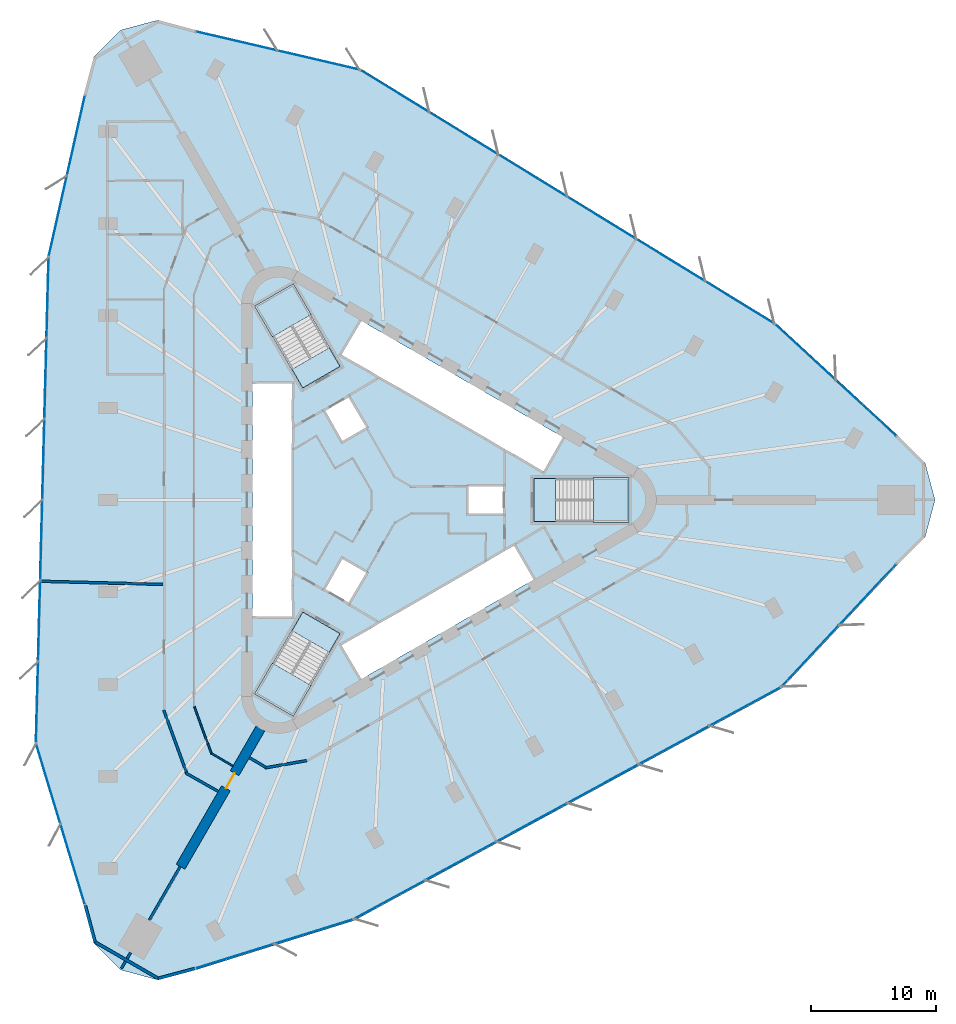
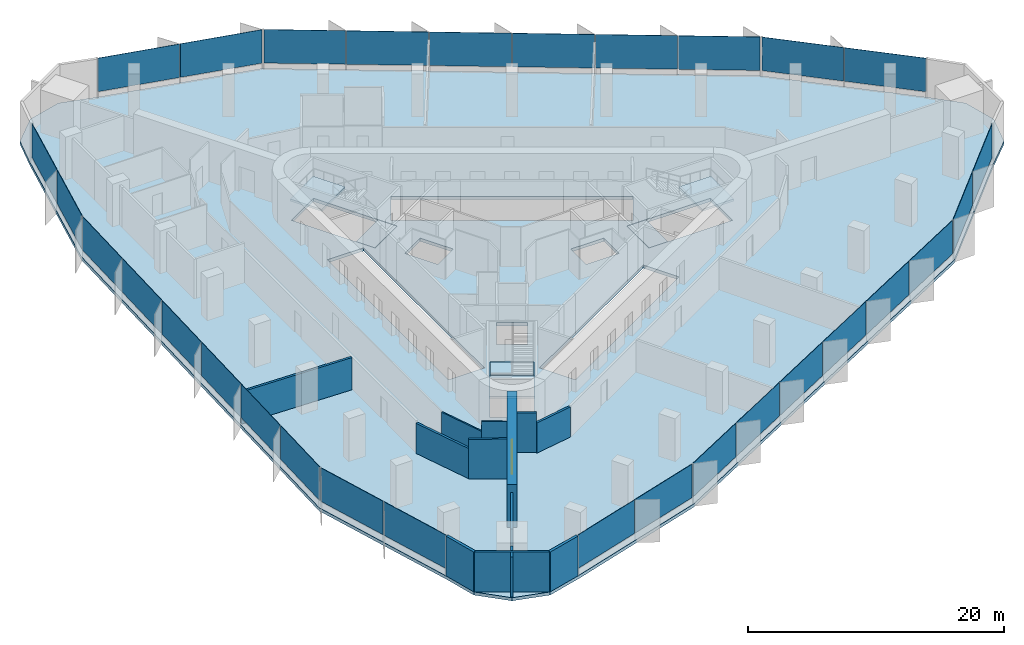
# One storey, part 8 of 14: 30 plates, 14 walls, 7 slabs, 1 door, 1 opening, 12 elements without a shape of their own.
"""IFC4 building model written with IfcOpenShell, lengths in metres."""

from ifc_helpers import new_model, si_unit, direction, frame, frame_2d, origin, origin_2d, place, context, subcontext, project, spatial, polyline, rectangle, outline, extrude, material, layer, layer_set, type_object, element, fill, aggregate, save


model = new_model("IFC4")

# Units and contexts
model_context = context("Model", 3, precision=1e-05, world=origin(), true_north=direction((0.0, 1.0)))
body_context = subcontext(model_context, "Body", "Model", "MODEL_VIEW")
ifc_project = project(units=[si_unit("LENGTHUNIT", "METRE"), si_unit("AREAUNIT", "SQUARE_METRE"), si_unit("VOLUMEUNIT", "CUBIC_METRE"), si_unit("PLANEANGLEUNIT", "RADIAN"), si_unit("MASSUNIT", "GRAM", prefix="KILO")], contexts=[model_context])

# Site, building, storey
site_placement = place(None, origin())
site = spatial("IfcSite", under=ifc_project, at=site_placement, CompositionType="ELEMENT")
building_placement = place(site_placement, origin())
building = spatial("IfcBuilding", under=site, at=building_placement, Name="Tanit Gate Tower", CompositionType="ELEMENT")
storey_placement = place(building_placement, frame((0.0, 0.0, 127.5)))
storey = spatial("IfcBuildingStorey", under=building, at=storey_placement, Name="L27", CompositionType="ELEMENT", Elevation=127.5)

# Slab
ifc_material_1 = material(Name="Concrete C35/45", Category="concrete")
ifc_layer_1 = layer(ifc_material_1, 0.300048828125)
ifc_layer_set_1 = layer_set([ifc_layer_1], Name="FLOOR SLAB 300 C35/45")
slab_type_1 = type_object("IfcSlabType", Name="FLOOR SLAB 300 C35/45", PredefinedType="FLOOR", material=ifc_layer_set_1)
slab_1_placement = place(storey_placement, frame((0.0, 0.0, -0.300048828125)))
element("IfcSlab", 1, at=slab_1_placement, inside=storey, type_object=slab_type_1, Name="FLOOR SLAB L27", PredefinedType="FLOOR", context=body_context, shape_type="SweptSolid", body=[
    extrude(outline(polyline([(40.5380859375, 5.17431640625), (42.72509765625, 2.987548828125), (43.525390625, 0.0), (42.72509765625, -2.987548828125), (40.5380859375, -5.17431640625), (31.245849609375, -15.095947265625), (-3.05810546875, -33.7265625), (-15.787841796875, -37.694091796875), (-18.775390625, -38.49462890625), (-21.7626953125, -37.694091796875), (-23.94970703125, -35.507080078125), (-24.750244140625, -32.519775390625), (-28.6962890625, -19.51171875), (-27.678955078125, 19.51171875), (-24.750244140625, 32.519775390625), (-23.94970703125, 35.507080078125), (-21.7626953125, 37.694091796875), (-18.775390625, 38.49462890625), (-15.787841796875, 37.694091796875), (-2.549560546875, 34.607666015625), (30.7373046875, 14.21484375), (40.5380859375, 5.17431640625)]), holes=[polyline([(11.3701171875, 1.72998046875), (18.929931640625, 1.72998046875), (18.929931640625, -1.72998046875), (11.3701171875, -1.72998046875), (11.3701171875, 1.72998046875)]), polyline([(-4.208984375, 11.60986328125), (-2.583984375, 14.424560546875), (13.783935546875, 4.974609375), (12.158935546875, 2.159912109375), (-4.208984375, 11.60986328125)]), polyline([(-4.208984375, -11.60986328125), (9.82080078125, -3.510009765625), (11.44580078125, -6.324462890625), (-2.583984375, -14.424560546875), (-4.208984375, -11.60986328125)]), polyline([(9.0, 1.199951171875), (9.0, -1.199951171875), (6.0, -1.199951171875), (6.0, 1.199951171875), (9.0, 1.199951171875)]), polyline([(-5.539306640625, 7.194091796875), (-3.460693359375, 8.394287109375), (-1.960693359375, 5.796142578125), (-4.039306640625, 4.59619140625), (-5.539306640625, 7.194091796875)]), polyline([(-1.960693359375, -5.796142578125), (-3.460693359375, -8.394287109375), (-5.539306640625, -7.194091796875), (-4.039306640625, -4.59619140625), (-1.960693359375, -5.796142578125)]), polyline([(-10.963134765625, 15.52880859375), (-7.966796875, 17.2587890625), (-4.186767578125, 10.711669921875), (-7.18310546875, 8.981689453125), (-10.963134765625, 15.52880859375)]), polyline([(-4.186767578125, -10.711669921875), (-7.966796875, -17.2587890625), (-10.963134765625, -15.52880859375), (-7.18310546875, -8.981689453125), (-4.186767578125, -10.711669921875)]), polyline([(-11.199951171875, -9.449951171875), (-11.199951171875, 9.449951171875), (-7.949951171875, 9.449951171875), (-7.949951171875, -9.449951171875), (-11.199951171875, -9.449951171875)])]), origin(), (0.0, 0.0, 1.0), 0.300048828125),
])

# Curtain wall, plates
ifc_material_2 = material(Name="Aluminium bronze anodised and glass", Category="aluminium")
curtain_wall_type = type_object("IfcCurtainWallType", Name="Curtain wall typical low", PredefinedType="NOTDEFINED", material=ifc_material_2)
curtain_wall_1_placement = place(storey_placement, origin())
curtain_wall_1 = element("IfcCurtainWall", 2, at=curtain_wall_1_placement, inside=storey, type_object=curtain_wall_type, Name="Curtain wall L27 NE1", PredefinedType="NOTDEFINED")
ifc_material_3 = material(Name="Glass tinted", Category="glass")
ifc_layer_2 = layer(ifc_material_3, 0.031982421875)
ifc_layer_set_2 = layer_set([ifc_layer_2], Name="Glass panel 32 typical low")
plate_type = type_object("IfcPlateType", Name="Glass panel 32 typical low", PredefinedType="CURTAIN_PANEL", material=ifc_layer_set_2)
plate_1_placement = place(storey_placement, frame((37.992431640625, 7.359130859375, 0.60009765625), z_axis=(0.0, 0.0, 1.0), x_axis=(-0.735046201615, 0.678017021535, 0.0)))
plate_1 = element("IfcPlate", 3, at=plate_1_placement, type_object=plate_type, Name="Glass panel L27 NE1.1", PredefinedType="CURTAIN_PANEL", context=body_context, shape_type="SweptSolid", body=[
    extrude(rectangle(XDim=6.539794921875, YDim=0.031982421875, at=origin_2d()), origin(), (0.0, 0.0, 1.0), 3.199951171875),
])
plate_2_placement = place(storey_placement, frame((33.126708984375, 11.847412109375, 0.60009765625), z_axis=(0.0, 0.0, 1.0), x_axis=(-0.735046201615, 0.678017021535, 0.0)))
plate_2 = element("IfcPlate", 4, at=plate_2_placement, type_object=plate_type, Name="Glass panel L27 NE1.2", PredefinedType="CURTAIN_PANEL", context=body_context, shape_type="SweptSolid", body=[
    extrude(rectangle(XDim=6.53955078125, YDim=0.031982421875, at=origin_2d()), origin(), (0.0, 0.0, 1.0), 3.199951171875),
])
aggregate(curtain_wall_1, [plate_1, plate_2])

curtain_wall_2_placement = place(storey_placement, origin())
curtain_wall_2 = element("IfcCurtainWall", 5, at=curtain_wall_2_placement, inside=storey, type_object=curtain_wall_type, Name="Curtain wall L27 NE2", PredefinedType="NOTDEFINED")
plate_3_placement = place(storey_placement, frame((27.864501953125, 15.833984375, 0.60009765625), z_axis=(0.0, 0.0, 1.0), x_axis=(-0.852699967985, 0.522400961521, 0.0)))
plate_3 = element("IfcPlate", 6, at=plate_3_placement, type_object=plate_type, Name="Glass panel L27 NE2.1", PredefinedType="CURTAIN_PANEL", context=body_context, shape_type="SweptSolid", body=[
    extrude(rectangle(XDim=6.40771484375, YDim=0.031982421875, at=origin_2d()), origin(), (0.0, 0.0, 1.0), 3.199951171875),
])
plate_4_placement = place(storey_placement, frame((22.33251953125, 19.22314453125, 0.60009765625), z_axis=(0.0, 0.0, 1.0), x_axis=(-0.852699967985, 0.522400961521, 0.0)))
plate_4 = element("IfcPlate", 7, at=plate_4_placement, type_object=plate_type, Name="Glass panel L27 NE2.2", PredefinedType="CURTAIN_PANEL", context=body_context, shape_type="SweptSolid", body=[
    extrude(rectangle(XDim=6.40771484375, YDim=0.031982421875, at=origin_2d()), origin(), (0.0, 0.0, 1.0), 3.199951171875),
])
plate_5_placement = place(storey_placement, frame((16.800537109375, 22.6123046875, 0.60009765625), z_axis=(0.0, 0.0, 1.0), x_axis=(-0.852699967985, 0.522400961521, 0.0)))
plate_5 = element("IfcPlate", 8, at=plate_5_placement, type_object=plate_type, Name="Glass panel L27 NE2.3", PredefinedType="CURTAIN_PANEL", context=body_context, shape_type="SweptSolid", body=[
    extrude(rectangle(XDim=6.40771484375, YDim=0.031982421875, at=origin_2d()), origin(), (0.0, 0.0, 1.0), 3.199951171875),
])
plate_6_placement = place(storey_placement, frame((11.268310546875, 26.00146484375, 0.60009765625), z_axis=(0.0, 0.0, 1.0), x_axis=(-0.852699967985, 0.522400961521, 0.0)))
plate_6 = element("IfcPlate", 9, at=plate_6_placement, type_object=plate_type, Name="Glass panel L27 NE2.4", PredefinedType="CURTAIN_PANEL", context=body_context, shape_type="SweptSolid", body=[
    extrude(rectangle(XDim=6.40771484375, YDim=0.031982421875, at=origin_2d()), origin(), (0.0, 0.0, 1.0), 3.199951171875),
])
plate_7_placement = place(storey_placement, frame((5.736328125, 29.390625, 0.60009765625), z_axis=(0.0, 0.0, 1.0), x_axis=(-0.852699967985, 0.522400961521, 0.0)))
plate_7 = element("IfcPlate", 10, at=plate_7_placement, type_object=plate_type, Name="Glass panel L27 NE2.5", PredefinedType="CURTAIN_PANEL", context=body_context, shape_type="SweptSolid", body=[
    extrude(rectangle(XDim=6.40771484375, YDim=0.031982421875, at=origin_2d()), origin(), (0.0, 0.0, 1.0), 3.199951171875),
])
plate_8_placement = place(storey_placement, frame((0.204345703125, 32.77978515625, 0.60009765625), z_axis=(0.0, 0.0, 1.0), x_axis=(-0.852699967985, 0.522400961521, 0.0)))
plate_8 = element("IfcPlate", 11, at=plate_8_placement, type_object=plate_type, Name="Glass panel L27 NE2.6", PredefinedType="CURTAIN_PANEL", context=body_context, shape_type="SweptSolid", body=[
    extrude(rectangle(XDim=6.40771484375, YDim=0.031982421875, at=origin_2d()), origin(), (0.0, 0.0, 1.0), 3.199951171875),
])
aggregate(curtain_wall_2, [plate_3, plate_4, plate_5, plate_6, plate_7, plate_8])

curtain_wall_3_placement = place(storey_placement, origin())
curtain_wall_3 = element("IfcCurtainWall", 12, at=curtain_wall_3_placement, inside=storey, type_object=curtain_wall_type, Name="Curtain wall L27 NE3", PredefinedType="NOTDEFINED")
plate_9_placement = place(storey_placement, frame((-5.92041015625, 35.2705078125, 0.60009765625), z_axis=(0.0, 0.0, 1.0), x_axis=(-0.973881812396, 0.227055533921, 0.0)))
plate_9 = element("IfcPlate", 13, at=plate_9_placement, type_object=plate_type, Name="Glass panel L27 NE3.1", PredefinedType="CURTAIN_PANEL", context=body_context, shape_type="SweptSolid", body=[
    extrude(rectangle(XDim=6.66796875, YDim=0.031982421875, at=origin_2d()), origin(), (0.0, 0.0, 1.0), 3.199951171875),
])
plate_10_placement = place(storey_placement, frame((-12.4921875, 36.802490234375, 0.60009765625), z_axis=(0.0, 0.0, 1.0), x_axis=(-0.973881812396, 0.227055533921, 0.0)))
plate_10 = element("IfcPlate", 14, at=plate_10_placement, type_object=plate_type, Name="Glass panel L27 NE3.2", PredefinedType="CURTAIN_PANEL", context=body_context, shape_type="SweptSolid", body=[
    extrude(rectangle(XDim=6.66796875, YDim=0.031982421875, at=origin_2d()), origin(), (0.0, 0.0, 1.0), 3.199951171875),
])
aggregate(curtain_wall_3, [plate_9, plate_10])

curtain_wall_4_placement = place(storey_placement, origin())
curtain_wall_4 = element("IfcCurtainWall", 15, at=curtain_wall_4_placement, inside=storey, type_object=curtain_wall_type, Name="Curtain wall L27 W1", PredefinedType="NOTDEFINED")
plate_11_placement = place(storey_placement, frame((-25.369384765625, 29.222900390625, 0.60009765625), z_axis=(0.0, 0.0, 1.0), x_axis=(-0.21965686404, -0.975577194321, 0.0)))
plate_11 = element("IfcPlate", 16, at=plate_11_placement, type_object=plate_type, Name="Glass panel L27 W1.1", PredefinedType="CURTAIN_PANEL", context=body_context, shape_type="SweptSolid", body=[
    extrude(rectangle(XDim=6.539794921875, YDim=0.031982421875, at=origin_2d()), origin(), (0.0, 0.0, 1.0), 3.199951171875),
])
plate_12_placement = place(storey_placement, frame((-26.823486328125, 22.764892578125, 0.60009765625), z_axis=(0.0, 0.0, 1.0), x_axis=(-0.21965686404, -0.975577194321, 0.0)))
plate_12 = element("IfcPlate", 17, at=plate_12_placement, type_object=plate_type, Name="Glass panel L27 W1.2", PredefinedType="CURTAIN_PANEL", context=body_context, shape_type="SweptSolid", body=[
    extrude(rectangle(XDim=6.53955078125, YDim=0.031982421875, at=origin_2d()), origin(), (0.0, 0.0, 1.0), 3.199951171875),
])
aggregate(curtain_wall_4, [plate_11, plate_12])

curtain_wall_5_placement = place(storey_placement, origin())
curtain_wall_5 = element("IfcCurtainWall", 18, at=curtain_wall_5_placement, inside=storey, type_object=curtain_wall_type, Name="Curtain wall L27 W2", PredefinedType="NOTDEFINED")
plate_13_placement = place(storey_placement, frame((-27.64501953125, 16.21435546875, 0.60009765625), z_axis=(0.0, 0.0, 1.0), x_axis=(-0.026062519646, -0.999660314842, 0.0)))
plate_13 = element("IfcPlate", 19, at=plate_13_placement, type_object=plate_type, Name="Glass panel L27 W2.1", PredefinedType="CURTAIN_PANEL", context=body_context, shape_type="SweptSolid", body=[
    extrude(rectangle(XDim=6.40771484375, YDim=0.031982421875, at=origin_2d()), origin(), (0.0, 0.0, 1.0), 3.199951171875),
])
plate_14_placement = place(storey_placement, frame((-27.81396484375, 9.728759765625, 0.60009765625), z_axis=(0.0, 0.0, 1.0), x_axis=(-0.026062519646, -0.999660314842, 0.0)))
plate_14 = element("IfcPlate", 20, at=plate_14_placement, type_object=plate_type, Name="Glass panel L27 W2.2", PredefinedType="CURTAIN_PANEL", context=body_context, shape_type="SweptSolid", body=[
    extrude(rectangle(XDim=6.40771484375, YDim=0.031982421875, at=origin_2d()), origin(), (0.0, 0.0, 1.0), 3.199951171875),
])
plate_15_placement = place(storey_placement, frame((-27.983154296875, 3.243408203125, 0.60009765625), z_axis=(0.0, 0.0, 1.0), x_axis=(-0.026062519646, -0.999660314842, 0.0)))
plate_15 = element("IfcPlate", 21, at=plate_15_placement, type_object=plate_type, Name="Glass panel L27 W2.3", PredefinedType="CURTAIN_PANEL", context=body_context, shape_type="SweptSolid", body=[
    extrude(rectangle(XDim=6.40771484375, YDim=0.031982421875, at=origin_2d()), origin(), (0.0, 0.0, 1.0), 3.199951171875),
])
plate_16_placement = place(storey_placement, frame((-28.152099609375, -3.241943359375, 0.60009765625), z_axis=(0.0, 0.0, 1.0), x_axis=(-0.026062519646, -0.999660314842, 0.0)))
plate_16 = element("IfcPlate", 22, at=plate_16_placement, type_object=plate_type, Name="Glass panel L27 W2.4", PredefinedType="CURTAIN_PANEL", context=body_context, shape_type="SweptSolid", body=[
    extrude(rectangle(XDim=6.40771484375, YDim=0.031982421875, at=origin_2d()), origin(), (0.0, 0.0, 1.0), 3.199951171875),
])
plate_17_placement = place(storey_placement, frame((-28.3212890625, -9.7275390625, 0.60009765625), z_axis=(0.0, 0.0, 1.0), x_axis=(-0.026062519646, -0.999660314842, 0.0)))
plate_17 = element("IfcPlate", 23, at=plate_17_placement, type_object=plate_type, Name="Glass panel L27 W2.5", PredefinedType="CURTAIN_PANEL", context=body_context, shape_type="SweptSolid", body=[
    extrude(rectangle(XDim=6.40771484375, YDim=0.031982421875, at=origin_2d()), origin(), (0.0, 0.0, 1.0), 3.199951171875),
])
plate_18_placement = place(storey_placement, frame((-28.490234375, -16.212890625, 0.60009765625), z_axis=(0.0, 0.0, 1.0), x_axis=(-0.026062519646, -0.999660314842, 0.0)))
plate_18 = element("IfcPlate", 24, at=plate_18_placement, type_object=plate_type, Name="Glass panel L27 W2.6", PredefinedType="CURTAIN_PANEL", context=body_context, shape_type="SweptSolid", body=[
    extrude(rectangle(XDim=6.40771484375, YDim=0.031982421875, at=origin_2d()), origin(), (0.0, 0.0, 1.0), 3.199951171875),
])
aggregate(curtain_wall_5, [plate_13, plate_14, plate_15, plate_16, plate_17, plate_18])

curtain_wall_6_placement = place(storey_placement, origin())
curtain_wall_6 = element("IfcCurtainWall", 25, at=curtain_wall_6_placement, inside=storey, type_object=curtain_wall_type, Name="Curtain wall L27 W3", PredefinedType="NOTDEFINED")
plate_19_placement = place(storey_placement, frame((-27.584716796875, -22.762451171875, 0.60009765625), z_axis=(0.0, 0.0, 1.0), x_axis=(0.290305045753, -0.956934156779, 0.0)))
plate_19 = element("IfcPlate", 26, at=plate_19_placement, type_object=plate_type, Name="Glass panel L27 W3.1", PredefinedType="CURTAIN_PANEL", context=body_context, shape_type="SweptSolid", body=[
    extrude(rectangle(XDim=6.66796875, YDim=0.031982421875, at=origin_2d()), origin(), (0.0, 0.0, 1.0), 3.199951171875),
])
plate_20_placement = place(storey_placement, frame((-25.6259765625, -29.2197265625, 0.60009765625), z_axis=(0.0, 0.0, 1.0), x_axis=(0.290305045753, -0.956934156779, 0.0)))
plate_20 = element("IfcPlate", 27, at=plate_20_placement, type_object=plate_type, Name="Glass panel L27 W3.2", PredefinedType="CURTAIN_PANEL", context=body_context, shape_type="SweptSolid", body=[
    extrude(rectangle(XDim=6.66796875, YDim=0.031982421875, at=origin_2d()), origin(), (0.0, 0.0, 1.0), 3.199951171875),
])
aggregate(curtain_wall_6, [plate_19, plate_20])

curtain_wall_7_placement = place(storey_placement, origin())
curtain_wall_7 = element("IfcCurtainWall", 28, at=curtain_wall_7_placement, inside=storey, type_object=curtain_wall_type, Name="Curtain wall L27 SE1", PredefinedType="NOTDEFINED")
plate_21_placement = place(storey_placement, frame((-12.623046875, -36.58203125, 0.60009765625), z_axis=(0.0, 0.0, 1.0), x_axis=(0.954703065655, 0.297560172786, 0.0)))
plate_21 = element("IfcPlate", 29, at=plate_21_placement, type_object=plate_type, Name="Glass panel L27 SE1.1", PredefinedType="CURTAIN_PANEL", context=body_context, shape_type="SweptSolid", body=[
    extrude(rectangle(XDim=6.539794921875, YDim=0.031982421875, at=origin_2d()), origin(), (0.0, 0.0, 1.0), 3.199951171875),
])
plate_22_placement = place(storey_placement, frame((-6.30322265625, -34.6123046875, 0.60009765625), z_axis=(0.0, 0.0, 1.0), x_axis=(0.954703065655, 0.297560172786, 0.0)))
plate_22 = element("IfcPlate", 30, at=plate_22_placement, type_object=plate_type, Name="Glass panel L27 SE1.2", PredefinedType="CURTAIN_PANEL", context=body_context, shape_type="SweptSolid", body=[
    extrude(rectangle(XDim=6.53955078125, YDim=0.031982421875, at=origin_2d()), origin(), (0.0, 0.0, 1.0), 3.199951171875),
])
aggregate(curtain_wall_7, [plate_21, plate_22])

curtain_wall_8_placement = place(storey_placement, origin())
curtain_wall_8 = element("IfcCurtainWall", 31, at=curtain_wall_8_placement, inside=storey, type_object=curtain_wall_type, Name="Curtain wall L27 SE2", PredefinedType="NOTDEFINED")
plate_23_placement = place(storey_placement, frame((-0.219482421875, -32.04833984375, 0.60009765625), z_axis=(0.0, 0.0, 1.0), x_axis=(0.878762487631, 0.477259353321, 0.0)))
plate_23 = element("IfcPlate", 32, at=plate_23_placement, type_object=plate_type, Name="Glass panel L27 SE2.1", PredefinedType="CURTAIN_PANEL", context=body_context, shape_type="SweptSolid", body=[
    extrude(rectangle(XDim=6.40771484375, YDim=0.031982421875, at=origin_2d()), origin(), (0.0, 0.0, 1.0), 3.199951171875),
])
plate_24_placement = place(storey_placement, frame((5.4814453125, -28.9521484375, 0.60009765625), z_axis=(0.0, 0.0, 1.0), x_axis=(0.878762487631, 0.477259353321, 0.0)))
plate_24 = element("IfcPlate", 33, at=plate_24_placement, type_object=plate_type, Name="Glass panel L27 SE2.2", PredefinedType="CURTAIN_PANEL", context=body_context, shape_type="SweptSolid", body=[
    extrude(rectangle(XDim=6.40771484375, YDim=0.031982421875, at=origin_2d()), origin(), (0.0, 0.0, 1.0), 3.199951171875),
])
plate_25_placement = place(storey_placement, frame((11.1826171875, -25.855712890625, 0.60009765625), z_axis=(0.0, 0.0, 1.0), x_axis=(0.878762487631, 0.477259353321, 0.0)))
plate_25 = element("IfcPlate", 34, at=plate_25_placement, type_object=plate_type, Name="Glass panel L27 SE2.3", PredefinedType="CURTAIN_PANEL", context=body_context, shape_type="SweptSolid", body=[
    extrude(rectangle(XDim=6.40771484375, YDim=0.031982421875, at=origin_2d()), origin(), (0.0, 0.0, 1.0), 3.199951171875),
])
plate_26_placement = place(storey_placement, frame((16.8837890625, -22.759521484375, 0.60009765625), z_axis=(0.0, 0.0, 1.0), x_axis=(0.878762487631, 0.477259353321, 0.0)))
plate_26 = element("IfcPlate", 35, at=plate_26_placement, type_object=plate_type, Name="Glass panel L27 SE2.4", PredefinedType="CURTAIN_PANEL", context=body_context, shape_type="SweptSolid", body=[
    extrude(rectangle(XDim=6.40771484375, YDim=0.031982421875, at=origin_2d()), origin(), (0.0, 0.0, 1.0), 3.199951171875),
])
plate_27_placement = place(storey_placement, frame((22.584716796875, -19.6630859375, 0.60009765625), z_axis=(0.0, 0.0, 1.0), x_axis=(0.878762487631, 0.477259353321, 0.0)))
plate_27 = element("IfcPlate", 36, at=plate_27_placement, type_object=plate_type, Name="Glass panel L27 SE2.5", PredefinedType="CURTAIN_PANEL", context=body_context, shape_type="SweptSolid", body=[
    extrude(rectangle(XDim=6.40771484375, YDim=0.031982421875, at=origin_2d()), origin(), (0.0, 0.0, 1.0), 3.199951171875),
])
plate_28_placement = place(storey_placement, frame((28.285888671875, -16.56689453125, 0.60009765625), z_axis=(0.0, 0.0, 1.0), x_axis=(0.878762487631, 0.477259353321, 0.0)))
plate_28 = element("IfcPlate", 37, at=plate_28_placement, type_object=plate_type, Name="Glass panel L27 SE2.6", PredefinedType="CURTAIN_PANEL", context=body_context, shape_type="SweptSolid", body=[
    extrude(rectangle(XDim=6.40771484375, YDim=0.031982421875, at=origin_2d()), origin(), (0.0, 0.0, 1.0), 3.199951171875),
])
aggregate(curtain_wall_8, [plate_23, plate_24, plate_25, plate_26, plate_27, plate_28])

curtain_wall_9_placement = place(storey_placement, origin())
curtain_wall_9 = element("IfcCurtainWall", 38, at=curtain_wall_9_placement, inside=storey, type_object=curtain_wall_type, Name="Curtain wall L27 SE3", PredefinedType="NOTDEFINED")
plate_29_placement = place(storey_placement, frame((33.50537109375, -12.5078125, 0.60009765625), z_axis=(0.0, 0.0, 1.0), x_axis=(0.683576766643, 0.729878622858, 0.0)))
plate_29 = element("IfcPlate", 39, at=plate_29_placement, type_object=plate_type, Name="Glass panel L27 SE3.1", PredefinedType="CURTAIN_PANEL", context=body_context, shape_type="SweptSolid", body=[
    extrude(rectangle(XDim=6.66796875, YDim=0.031982421875, at=origin_2d()), origin(), (0.0, 0.0, 1.0), 3.199951171875),
])
plate_30_placement = place(storey_placement, frame((38.117919921875, -7.582763671875, 0.60009765625), z_axis=(0.0, 0.0, 1.0), x_axis=(0.683576766643, 0.729878622858, 0.0)))
plate_30 = element("IfcPlate", 40, at=plate_30_placement, type_object=plate_type, Name="Glass panel L27 SE3.2", PredefinedType="CURTAIN_PANEL", context=body_context, shape_type="SweptSolid", body=[
    extrude(rectangle(XDim=6.66796875, YDim=0.031982421875, at=origin_2d()), origin(), (0.0, 0.0, 1.0), 3.199951171875),
])
aggregate(curtain_wall_9, [plate_29, plate_30])

# Stair, slab
ifc_material_4 = material(Name="Concrete C40/50", Category="concrete")
stair_type = type_object("IfcStairType", Name="INT-STAIR-EXIT", PredefinedType="HALF_TURN_STAIR", material=ifc_material_4)
stair_1_placement = place(storey_placement, origin())
stair_1 = element("IfcStair", 41, at=stair_1_placement, inside=storey, type_object=stair_type, Name="L27 STAIR S1", PredefinedType="HALF_TURN_STAIR")
ifc_material_5 = material(Name="Concrete C40/50", Category="concrete")
ifc_layer_3 = layer(ifc_material_5, 0.199951171875)
ifc_layer_set_3 = layer_set([ifc_layer_3], Name="INT-STAIR-LANDING")
slab_type_2 = type_object("IfcSlabType", Name="INT-STAIR-LANDING", PredefinedType="LANDING", material=ifc_layer_set_3)
slab_2_placement = place(storey_placement, frame((0.0, 0.0, 1.85009765625)))
slab_2 = element("IfcSlab", 42, at=slab_2_placement, type_object=slab_type_2, Name="S1 landing 1", PredefinedType="LANDING", context=body_context, shape_type="SweptSolid", body=[
    extrude(outline(polyline([(16.135986328125, -1.800048828125), (19.0, -1.800048828125), (19.0, 1.800048828125), (16.135986328125, 1.800048828125), (16.135986328125, -1.800048828125)])), origin(), (0.0, 0.0, 1.0), 0.199951171875),
])
aggregate(stair_1, [slab_2])

# Slab
slab_3_placement = place(storey_placement, frame((0.0, 0.0, -0.199951171875)))
element("IfcSlab", 43, at=slab_3_placement, inside=storey, type_object=slab_type_2, Name="S1 floor landing", PredefinedType="LANDING", context=body_context, shape_type="SweptSolid", body=[
    extrude(outline(polyline([(11.3798828125, -1.719970703125), (13.10498046875, -1.719970703125), (13.10498046875, 1.719970703125), (11.3798828125, 1.719970703125), (11.3798828125, -1.719970703125)])), origin(), (0.0, 0.0, 1.0), 0.199951171875),
])

# Stair, slab
stair_2_placement = place(storey_placement, origin())
stair_2 = element("IfcStair", 44, at=stair_2_placement, inside=storey, type_object=stair_type, Name="L27 STAIR S2", PredefinedType="HALF_TURN_STAIR")
slab_4_placement = place(storey_placement, frame((0.0, 0.0, 1.85009765625)))
slab_4 = element("IfcSlab", 45, at=slab_4_placement, type_object=slab_type_2, Name="S2 landing 1", PredefinedType="LANDING", context=body_context, shape_type="SweptSolid", body=[
    extrude(outline(polyline([(-6.5078125, 14.871826171875), (-7.941162109375, 17.3544921875), (-11.058837890625, 15.554443359375), (-9.62548828125, 13.07177734375), (-6.5078125, 14.871826171875)])), origin(), (0.0, 0.0, 1.0), 0.199951171875),
])
aggregate(stair_2, [slab_4])

# Slab
slab_5_placement = place(storey_placement, frame((0.0, 0.0, -0.199951171875)))
element("IfcSlab", 46, at=slab_5_placement, inside=storey, type_object=slab_type_2, Name="S2 floor landing", PredefinedType="LANDING", context=body_context, shape_type="SweptSolid", body=[
    extrude(outline(polyline([(-4.200439453125, 10.71533203125), (-5.0625, 12.20849609375), (-8.04150390625, 10.48828125), (-7.179443359375, 8.995361328125), (-4.200439453125, 10.71533203125)])), origin(), (0.0, 0.0, 1.0), 0.199951171875),
])

# Stair, slab
stair_3_placement = place(storey_placement, origin())
stair_3 = element("IfcStair", 47, at=stair_3_placement, inside=storey, type_object=stair_type, Name="L27 STAIR S3", PredefinedType="HALF_TURN_STAIR")
slab_6_placement = place(storey_placement, frame((0.0, 0.0, 1.85009765625)))
slab_6 = element("IfcSlab", 48, at=slab_6_placement, type_object=slab_type_2, Name="S3 landing 1", PredefinedType="LANDING", context=body_context, shape_type="SweptSolid", body=[
    extrude(outline(polyline([(-9.626953125, -13.07421875), (-11.058837890625, -15.554443359375), (-7.941162109375, -17.3544921875), (-6.509033203125, -14.874267578125), (-9.626953125, -13.07421875)])), origin(), (0.0, 0.0, 1.0), 0.199951171875),
])
aggregate(stair_3, [slab_6])

# Slab
slab_7_placement = place(storey_placement, frame((0.0, 0.0, -0.199951171875)))
element("IfcSlab", 49, at=slab_7_placement, inside=storey, type_object=slab_type_2, Name="S3 floor landing", PredefinedType="LANDING", context=body_context, shape_type="SweptSolid", body=[
    extrude(outline(polyline([(-7.179443359375, -8.995361328125), (-8.0419921875, -10.4892578125), (-5.06298828125, -12.209228515625), (-4.200439453125, -10.71533203125), (-7.179443359375, -8.995361328125)])), origin(), (0.0, 0.0, 1.0), 0.199951171875),
])

# Wall, opening, door
ifc_material_6 = material(Name="Concrete C60/75", Category="concrete")
ifc_layer_4 = layer(ifc_material_6, 0.800048828125)
ifc_layer_set_4 = layer_set([ifc_layer_4], Name="BUTTRESS FIN 800 C60/75")
wall_type_1 = type_object("IfcWallType", Name="BUTTRESS FIN 800 C60/75", PredefinedType="SHEAR", material=ifc_layer_set_4)
wall_1_placement = place(storey_placement, frame((-10.574951171875, -18.31640625, 0.0), z_axis=(0.0, 0.0, 1.0), x_axis=(-0.500008359956, -0.866020577108, 0.0)))
wall_1 = element("IfcWall", 50, at=wall_1_placement, inside=storey, type_object=wall_type_1, Name="BUTTRESS FIN", PredefinedType="SHEAR", context=body_context, shape_type="SweptSolid", body=[
    extrude(rectangle(XDim=12.812255859375, YDim=0.800048828125, at=frame_2d((6.40625, 0.0))), origin(), (0.0, 0.0, 1.0), 4.10009765625),
])
opening_placement = place(wall_1_placement, frame((4.14990234375, 0.0, 0.0)))
opening = element("IfcOpeningElement", 51, at=opening_placement, cuts=wall_1, Name="Opening P14-S06-F-SW-1", PredefinedType="OPENING", context=body_context, shape_type="SweptSolid", body=[
    extrude(rectangle(XDim=1.39990234375, YDim=2.39990234375, at=frame_2d((0.699951171875, 1.199951171875))), frame((0.0, 0.41015625, 0.0), z_axis=(0.0, -1.0, 0.0), x_axis=(1.0, 0.0, 0.0)), (0.0, 0.0, 1.0), 0.820068359375),
])
ifc_material_7 = material(Name="Timber door leaf", Category="wood")
door_type = type_object("IfcDoorType", Name="INT-DOOR-FIN-PAIR-1400", OperationType="NOTDEFINED", PredefinedType="NOTDEFINED", material=ifc_material_7)
door_placement = place(opening_placement, origin())
door = element("IfcDoor", 52, at=door_placement, inside=storey, type_object=door_type, Name="Door P14-S06-F-SW-1", OperationType="DOUBLE_DOOR_SINGLE_SWING", OverallHeight=2.39990234375, OverallWidth=1.39990234375, PredefinedType="NOTDEFINED", context=body_context, shape_type="SweptSolid", body=[
    extrude(rectangle(XDim=1.39990234375, YDim=2.39990234375, at=frame_2d((0.699951171875, 1.199951171875))), frame((0.0, 0.02490234375, 0.0), z_axis=(0.0, -1.0, 0.0), x_axis=(1.0, 0.0, 0.0)), (0.0, 0.0, 1.0), 0.050048828125),
])
fill(opening, door)

# Walls
ifc_material_8 = material(Name="Concrete C30/37 with bronze anodised aluminium cladding", Category="concrete")
ifc_layer_5 = layer(ifc_material_8, 0.239990234375)
ifc_layer_set_5 = layer_set([ifc_layer_5], Name="Facade wall bronze clad 240")
wall_type_2 = type_object("IfcWallType", Name="Facade wall bronze clad 240", PredefinedType="SOLIDWALL", material=ifc_layer_set_5)
wall_2_placement = place(storey_placement, frame((-24.634765625, -32.48681640625, 0.0), z_axis=(0.0, 0.0, 1.0), x_axis=(0.258838355735, -0.965920651814, 0.0)))
element("IfcWall", 53, at=wall_2_placement, inside=storey, type_object=wall_type_2, Name="Bronze-clad facade wall L27 SW.arc1", PredefinedType="SOLIDWALL", context=body_context, shape_type="SweptSolid", body=[
    extrude(rectangle(XDim=3.062744140625, YDim=0.239990234375, at=frame_2d((1.53125, 0.0))), origin(), (0.0, 0.0, 1.0), 3.800048828125),
])
wall_3_placement = place(storey_placement, frame((-23.842041015625, -35.445068359375, 0.0), z_axis=(0.0, 0.0, 1.0), x_axis=(0.866031321059, -0.49998975084, 0.0)))
element("IfcWall", 54, at=wall_3_placement, inside=storey, type_object=wall_type_2, Name="Bronze-clad facade wall L27 SW.arc2", PredefinedType="SOLIDWALL", context=body_context, shape_type="SweptSolid", body=[
    extrude(rectangle(XDim=5.8505859375, YDim=0.239990234375, at=frame_2d((2.92529296875, 0.0))), origin(), (0.0, 0.0, 1.0), 3.800048828125),
])
wall_4_placement = place(storey_placement, frame((-18.775146484375, -38.370361328125, 0.0), z_axis=(0.0, 0.0, 1.0), x_axis=(0.965924175265, 0.258825206729, 0.0)))
element("IfcWall", 55, at=wall_4_placement, inside=storey, type_object=wall_type_2, Name="Bronze-clad facade wall L27 SW.arc3", PredefinedType="SOLIDWALL", context=body_context, shape_type="SweptSolid", body=[
    extrude(rectangle(XDim=3.05810546875, YDim=0.239990234375, at=frame_2d((1.529052734375, 0.0))), origin(), (0.0, 0.0, 1.0), 3.800048828125),
])
ifc_material_9 = material(Name="Fire-rated gypsum board partition")
ifc_layer_6 = layer(ifc_material_9, 0.199951171875)
ifc_layer_set_6 = layer_set([ifc_layer_6], Name="INT-WALL-COMPARTMENT")
wall_type_3 = type_object("IfcWallType", Name="INT-WALL-COMPARTMENT", PredefinedType="PARTITIONING", material=ifc_layer_set_6)
wall_5_placement = place(storey_placement, frame((-16.576416015625, -21.89208984375, 0.0), z_axis=(0.0, 0.0, 1.0), x_axis=(0.870559817111, -0.492062602553, 0.0)))
element("IfcWall", 56, at=wall_5_placement, inside=storey, type_object=wall_type_3, Name="Wall Compartment W088", PredefinedType="PARTITIONING", context=body_context, shape_type="SweptSolid", body=[
    extrude(rectangle(XDim=3.009765625, YDim=0.199951171875, at=frame_2d((1.5048828125, 0.0))), origin(), (0.0, 0.0, 1.0), 3.800048828125),
])
wall_6_placement = place(storey_placement, frame((-18.334228515625, -16.84033203125, 0.0), z_axis=(0.0, 0.0, 1.0), x_axis=(0.342015877493, -0.939694173411, 0.0)))
element("IfcWall", 57, at=wall_6_placement, inside=storey, type_object=wall_type_3, Name="Wall Compartment W089", PredefinedType="PARTITIONING", context=body_context, shape_type="SweptSolid", body=[
    extrude(rectangle(XDim=5.388671875, YDim=0.199951171875, at=frame_2d((2.6943359375, 0.0))), origin(), (0.0, 0.0, 1.0), 2.8798828125),
])
wall_7_placement = place(storey_placement, frame((-10.22021484375, -21.489501953125, 0.0), z_axis=(0.0, 0.0, 1.0), x_axis=(0.984805188344, 0.173662721995, 0.0)))
element("IfcWall", 58, at=wall_7_placement, inside=storey, type_object=wall_type_3, Name="Wall Compartment W111", PredefinedType="PARTITIONING", context=body_context, shape_type="SweptSolid", body=[
    extrude(rectangle(XDim=3.40771484375, YDim=0.199951171875, at=frame_2d((1.703857421875, 0.0))), origin(), (0.0, 0.0, 1.0), 2.8798828125),
])
wall_8_placement = place(storey_placement, frame((-11.46484375, -20.657470703125, 0.0), z_axis=(0.0, 0.0, 1.0), x_axis=(0.858376755127, -0.513019830276, 0.0)))
element("IfcWall", 59, at=wall_8_placement, inside=storey, type_object=wall_type_3, Name="Wall Compartment W112", PredefinedType="PARTITIONING", context=body_context, shape_type="SweptSolid", body=[
    extrude(rectangle(XDim=1.533203125, YDim=0.199951171875, at=frame_2d((0.7666015625, 0.0))), origin(), (0.0, 0.0, 1.0), 3.800048828125),
])
wall_9_placement = place(storey_placement, frame((-18.39990234375, -6.771240234375, 0.0), z_axis=(0.0, 0.0, 1.0), x_axis=(-0.999660021388, 0.026073772986, 0.0)))
element("IfcWall", 60, at=wall_9_placement, inside=storey, type_object=wall_type_3, Name="Wall Compartment W113", PredefinedType="PARTITIONING", context=body_context, shape_type="SweptSolid", body=[
    extrude(rectangle(XDim=9.841064453125, YDim=0.199951171875, at=frame_2d((4.92041015625, 0.0))), origin(), (0.0, 0.0, 1.0), 3.080078125),
])
wall_10_placement = place(storey_placement, frame((-17.007080078125, -29.397216796875, 0.0), z_axis=(0.0, 0.0, 1.0), x_axis=(-0.500006314404, -0.866021758131, 0.0)))
element("IfcWall", 61, at=wall_10_placement, inside=storey, type_object=wall_type_3, Name="Wall Compartment W115", PredefinedType="PARTITIONING", context=body_context, shape_type="SweptSolid", body=[
    extrude(rectangle(XDim=4.96337890625, YDim=0.199951171875, at=frame_2d((2.481689453125, 0.0))), origin(), (0.0, 0.0, 1.0), 3.3701171875),
])
wall_11_placement = place(storey_placement, frame((-20.98876953125, -36.29345703125, 0.0), z_axis=(0.0, 0.0, 1.0), x_axis=(-0.499857944771, -0.866107403877, 0.0)))
element("IfcWall", 62, at=wall_11_placement, inside=storey, type_object=wall_type_3, Name="Wall Compartment W114", PredefinedType="PARTITIONING", context=body_context, shape_type="SweptSolid", body=[
    extrude(rectangle(XDim=0.572021484375, YDim=0.199951171875, at=frame_2d((0.2861328125, 0.0))), origin(), (0.0, 0.0, 1.0), 3.800048828125),
])
wall_12_placement = place(storey_placement, frame((-21.394775390625, -36.99658203125, 0.0), z_axis=(0.0, 0.0, 1.0), x_axis=(-0.499862072928, -0.866105021373, 0.0)))
element("IfcWall", 63, at=wall_12_placement, inside=storey, type_object=wall_type_3, Name="Wall Compartment W114x1", PredefinedType="PARTITIONING", context=body_context, shape_type="SweptSolid", body=[
    extrude(rectangle(XDim=0.656005859375, YDim=0.199951171875, at=frame_2d((0.328125, 0.0))), origin(), (0.0, 0.0, 1.0), 3.800048828125),
])
ifc_material_10 = material(Name="Gypsum board partition")
ifc_layer_7 = layer(ifc_material_10, 0.1201171875)
ifc_layer_set_7 = layer_set([ifc_layer_7], Name="INT-WALL-PARTITION")
wall_type_4 = type_object("IfcWallType", Name="INT-WALL-PARTITION", PredefinedType="PARTITIONING", material=ifc_layer_set_7)
wall_13_placement = place(storey_placement, frame((-15.87939453125, -16.5673828125, 0.0), z_axis=(0.0, 0.0, 1.0), x_axis=(0.341999322503, -0.939700198685, 0.0)))
element("IfcWall", 64, at=wall_13_placement, inside=storey, type_object=wall_type_4, Name="Wall Partition W086", PredefinedType="PARTITIONING", context=body_context, shape_type="SweptSolid", body=[
    extrude(rectangle(XDim=4.053955078125, YDim=0.1201171875, at=frame_2d((2.02685546875, 0.0))), origin(), (0.0, 0.0, 1.0), 2.8798828125),
])
wall_14_placement = place(storey_placement, frame((-14.494140625, -20.322021484375, 0.0), z_axis=(0.0, 0.0, 1.0), x_axis=(0.859745408261, -0.510722853389, 0.0)))
element("IfcWall", 65, at=wall_14_placement, inside=storey, type_object=wall_type_4, Name="Wall Partition W087", PredefinedType="PARTITIONING", context=body_context, shape_type="SweptSolid", body=[
    extrude(rectangle(XDim=1.991455078125, YDim=0.1201171875, at=frame_2d((0.99560546875, 0.0))), origin(), (0.0, 0.0, 1.0), 3.800048828125),
])

save(model, "model.ifc")
